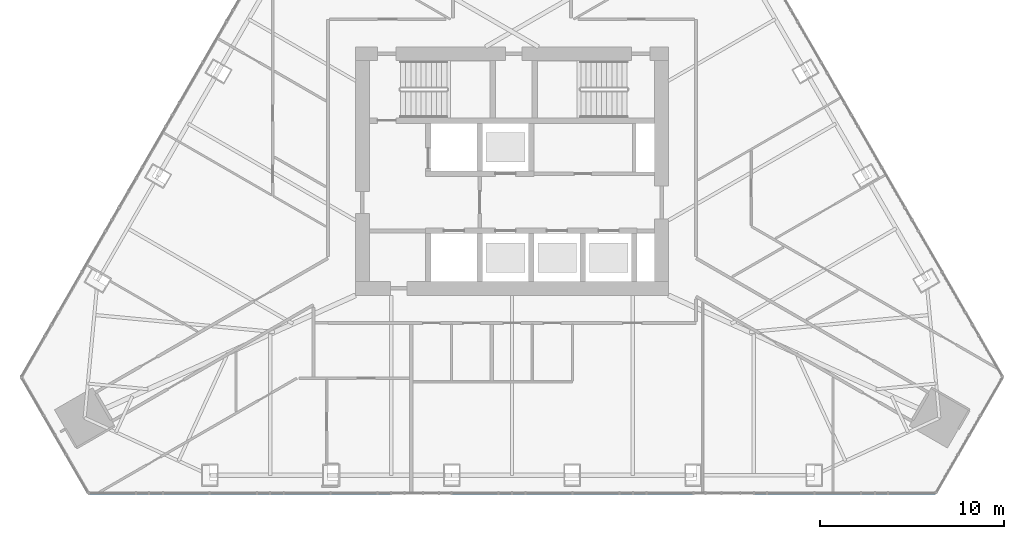
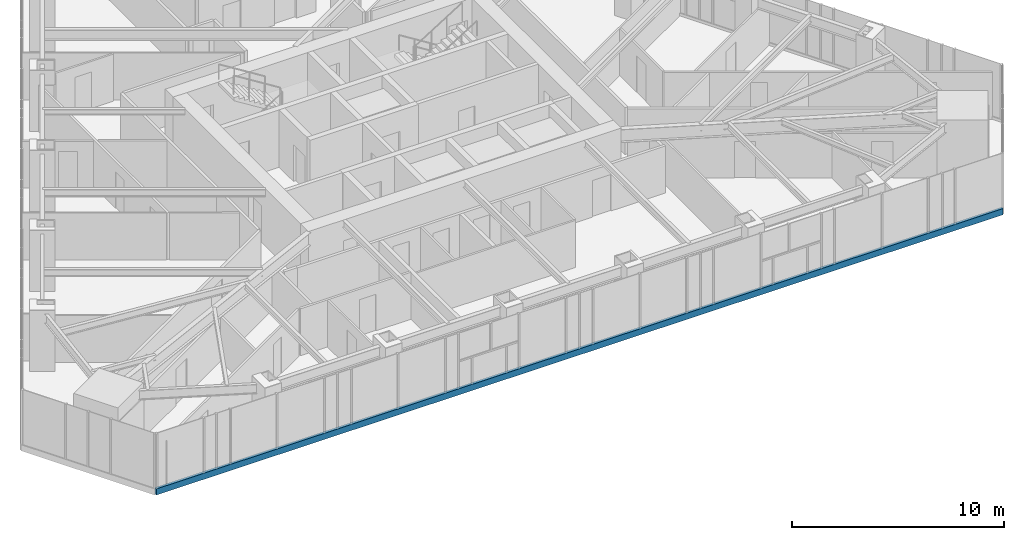
# One storey, part 3 of 20: 1 member, 1 element without a shape of its own.
"""IFC4 building model written with IfcOpenShell, lengths in metres."""

from ifc_helpers import new_model, si_unit, direction, frame, origin, origin_2d, place, context, subcontext, project, spatial, rectangle, extrude, material, layer, layer_set, material_profile, profile_set, type_object, element, aggregate, save


model = new_model("IFC4")

# Units and contexts
model_context = context("Model", 3, precision=1e-05, world=origin(), true_north=direction((0.0, 1.0)))
body_context = subcontext(model_context, "Body", "Model", "MODEL_VIEW")
ifc_project = project(units=[si_unit("LENGTHUNIT", "METRE"), si_unit("AREAUNIT", "SQUARE_METRE"), si_unit("VOLUMEUNIT", "CUBIC_METRE"), si_unit("PLANEANGLEUNIT", "RADIAN"), si_unit("MASSUNIT", "GRAM", prefix="KILO")], contexts=[model_context])

# Site, building, storey
site_placement = place(None, origin())
site = spatial("IfcSite", under=ifc_project, at=site_placement, CompositionType="ELEMENT")
building_placement = place(site_placement, origin())
building = spatial("IfcBuilding", under=site, at=building_placement, Name="Firuza Gate Tower and Library", CompositionType="ELEMENT")
storey_placement = place(building_placement, frame((0.0, 0.0, 277.60009765625)))
storey = spatial("IfcBuildingStorey", under=building, at=storey_placement, Name="L66", CompositionType="ELEMENT", Elevation=277.60009765625)

# Curtain wall, member
ifc_material_1 = material(Name="Aluminium 6063-T6", Category="aluminium")
ifc_layer = layer(ifc_material_1, 0.14990234375)
ifc_layer_set = layer_set([ifc_layer], Name="Unitised curtain wall, residences")
curtain_wall_type = type_object("IfcCurtainWallType", Name="Unitised curtain wall, residences", PredefinedType="NOTDEFINED", material=ifc_layer_set)
curtain_wall_placement = place(storey_placement, origin())
curtain_wall = element("IfcCurtainWall", 1, at=curtain_wall_placement, inside=storey, type_object=curtain_wall_type, Name="CW3 L66 S face", PredefinedType="NOTDEFINED")
ifc_material_2 = material(Name="Aluminium 6063-T6", Category="aluminium")
ifc_material_profile = material_profile(ifc_material_2, rectangle(XDim=0.14990234375, YDim=0.35009765625, at=origin_2d()))
ifc_profile_set = profile_set([ifc_material_profile], Name="Aluminium 6063-T6")
member_type = type_object("IfcMemberType", Name="Curtain wall transom 350x150", PredefinedType="USERDEFINED", material=ifc_profile_set)
member_placement = place(storey_placement, frame((51.97802734375, 57.501220703125, -0.025146484375), z_axis=(1.0, 0.0, 0.0), x_axis=(0.0, 1.0, 0.0)))
member = element("IfcMember", 2, at=member_placement, type_object=member_type, Name="Transom", ObjectType="TRANSOM", PredefinedType="USERDEFINED", context=body_context, shape_type="SweptSolid", body=[
    extrude(rectangle(XDim=0.14990234375, YDim=0.35009765625, at=origin_2d()), origin(), (0.0, 0.0, 1.0), 46.0439453125),
])
aggregate(curtain_wall, [member])

save(model, "model.ifc")
